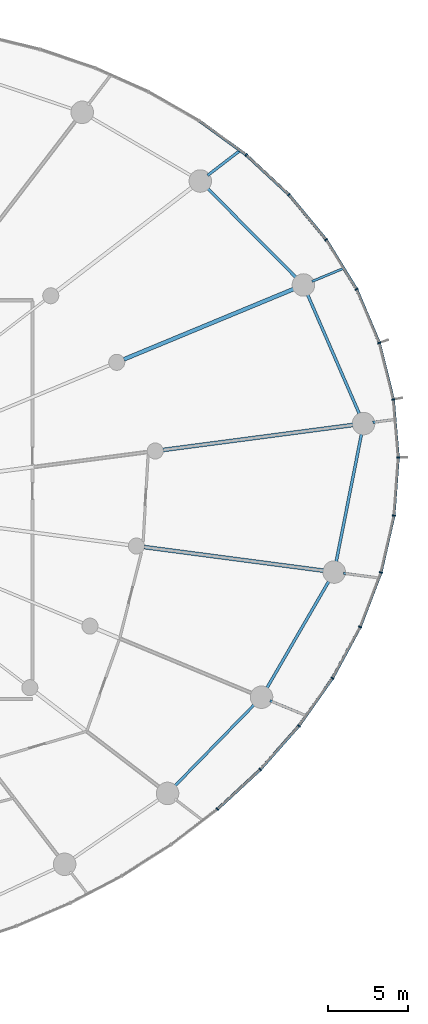
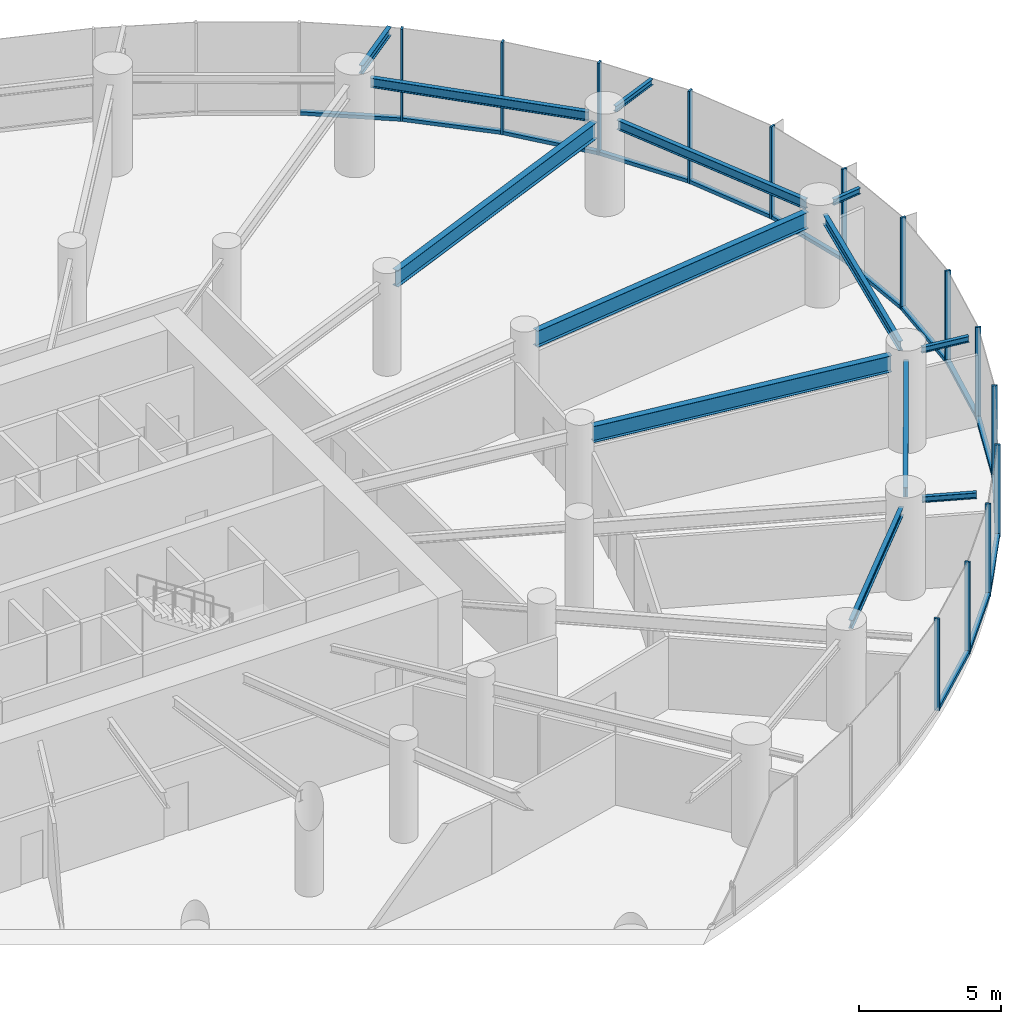
# One storey, part 9 of 19: 28 members, 13 beams, 3 elements without a shape of their own.
"""IFC4 building model written with IfcOpenShell, lengths in metres."""

from ifc_helpers import new_model, si_unit, direction, frame, origin, origin_2d, place, context, subcontext, project, spatial, rectangle, i_section, extrude, source, transform, mapped, material, layer, layer_set, material_profile, profile_set, type_object, element, aggregate, save


model = new_model("IFC4")

# Units and contexts
model_context = context("Model", 3, precision=1e-05, world=origin(), true_north=direction((0.0, 1.0)))
body_context = subcontext(model_context, "Body", "Model", "MODEL_VIEW")
ifc_project = project(units=[si_unit("LENGTHUNIT", "METRE"), si_unit("AREAUNIT", "SQUARE_METRE"), si_unit("VOLUMEUNIT", "CUBIC_METRE"), si_unit("PLANEANGLEUNIT", "RADIAN"), si_unit("MASSUNIT", "GRAM", prefix="KILO")], contexts=[model_context])

# Site, building, storey
site_placement = place(None, origin())
site = spatial("IfcSite", under=ifc_project, at=site_placement, CompositionType="ELEMENT")
building_placement = place(site_placement, origin())
building = spatial("IfcBuilding", under=site, at=building_placement, Name="Spindrift Exchange Tower", CompositionType="ELEMENT")
storey_placement = place(building_placement, frame((0.0, 0.0, 53.39990234375)))
storey = spatial("IfcBuildingStorey", under=building, at=storey_placement, Name="L12", CompositionType="ELEMENT", Elevation=53.39990234375)

# Beams
ifc_material_1 = material(Name="Steel Grade 300", Category="steel")
ifc_material_profile_1 = material_profile(ifc_material_1, i_section(OverallWidth=0.25, OverallDepth=0.699951171875, WebThickness=0.008056640625, FlangeThickness=0.011962890625, at=origin_2d()), Name="700WB115")
ifc_profile_set_1 = profile_set([ifc_material_profile_1], Name="Steel Grade 300")
beam_type_1 = type_object("IfcBeamType", Name="Floor Beam 700WB115 Steel Grade 300", PredefinedType="BEAM", material=ifc_profile_set_1)
shared_shape_1 = source(origin(), body_context, "Body", "SweptSolid", [
    extrude(i_section(OverallWidth=0.25, OverallDepth=0.699951171875, WebThickness=0.008056640625, FlangeThickness=0.011962890625, at=origin_2d()), origin(), (0.0, 0.0, 1.0), 12.00830078125),
])
beam_1_placement = place(storey_placement, frame((75.509765625, 51.09521484375, 3.60009765625), z_axis=(0.991444950947, 0.130525511844, 0.0), x_axis=(-0.130525511844, 0.991444950947, 0.0)))
element("IfcBeam", 1, at=beam_1_placement, inside=storey, type_object=beam_type_1, Name="L12 radial beam R01B", PredefinedType="BEAM", context=body_context, shape_type="MappedRepresentation", body=[
    mapped(shared_shape_1, transform((0.0, 0.0, 0.0), scale=1.0)),
])
shared_shape_2 = source(origin(), body_context, "Body", "SweptSolid", [
    extrude(i_section(OverallWidth=0.25, OverallDepth=0.699951171875, WebThickness=0.008056640625, FlangeThickness=0.011962890625, at=origin_2d()), origin(), (0.0, 0.0, 1.0), 11.505859375),
])
beam_2_placement = place(storey_placement, frame((73.082763671875, 56.73291015625, 3.60009765625), z_axis=(0.923881578419, 0.38267849307, 0.0), x_axis=(-0.38267849307, 0.923881578419, 0.0)))
element("IfcBeam", 2, at=beam_2_placement, inside=storey, type_object=beam_type_1, Name="L12 radial beam R02B", PredefinedType="BEAM", context=body_context, shape_type="MappedRepresentation", body=[
    mapped(shared_shape_2, transform((0.0, 0.0, 0.0), scale=1.0)),
])
shared_shape_3 = source(origin(), body_context, "Body", "SweptSolid", [
    extrude(i_section(OverallWidth=0.25, OverallDepth=0.699951171875, WebThickness=0.008056640625, FlangeThickness=0.011962890625, at=origin_2d()), origin(), (0.0, 0.0, 1.0), 11.34423828125),
])
beam_3_placement = place(storey_placement, frame((74.339111328125, 45.05908203125, 3.60009765625), z_axis=(0.991444770187, -0.130526884848, 0.0), x_axis=(0.130526884848, 0.991444770187, 0.0)))
element("IfcBeam", 3, at=beam_3_placement, inside=storey, type_object=beam_type_1, Name="L12 radial beam R24B", PredefinedType="BEAM", context=body_context, shape_type="MappedRepresentation", body=[
    mapped(shared_shape_3, transform((0.0, 0.0, 0.0), scale=1.0)),
])
ifc_material_profile_2 = material_profile(ifc_material_1, i_section(OverallWidth=0.177978515625, OverallDepth=0.406005859375, WebThickness=0.0078125, FlangeThickness=0.0126953125, FilletRadius=0.013916015625, at=origin_2d()), Name="410UB59.7")
ifc_profile_set_2 = profile_set([ifc_material_profile_2], Name="Steel Grade 300")
beam_type_2 = type_object("IfcBeamType", Name="Edge Beam 410UB59.7 Steel Grade 300", PredefinedType="SPANDREL", material=ifc_profile_set_2)
shared_shape_4 = source(origin(), body_context, "Body", "SweptSolid", [
    extrude(i_section(OverallWidth=0.177978515625, OverallDepth=0.406005859375, WebThickness=0.0078125, FlangeThickness=0.0126953125, FilletRadius=0.013916015625, at=origin_2d()), origin(), (0.0, 0.0, 1.0), 8.23681640625),
])
beam_4_placement = place(storey_placement, frame((87.759521484375, 53.270263671875, 3.7470703125), z_axis=(-0.398186298756, 0.91730456855, 0.0), x_axis=(-0.91730456855, -0.398186298756, 0.0)))
element("IfcBeam", 4, at=beam_4_placement, inside=storey, type_object=beam_type_2, Name="L12 edge beam E01", PredefinedType="SPANDREL", context=body_context, shape_type="MappedRepresentation", body=[
    mapped(shared_shape_4, transform((0.0, 0.0, 0.0), scale=1.0)),
])
shared_shape_5 = source(origin(), body_context, "Body", "SweptSolid", [
    extrude(i_section(OverallWidth=0.177978515625, OverallDepth=0.406005859375, WebThickness=0.0078125, FlangeThickness=0.0126953125, FilletRadius=0.013916015625, at=origin_2d()), origin(), (0.0, 0.0, 1.0), 7.947509765625),
])
beam_5_placement = place(storey_placement, frame((83.840576171875, 61.769775390625, 3.7470703125), z_axis=(-0.704197895271, 0.710003749494, 0.0), x_axis=(-0.710003749494, -0.704197895271, 0.0)))
element("IfcBeam", 5, at=beam_5_placement, inside=storey, type_object=beam_type_2, Name="L12 edge beam E02", PredefinedType="SPANDREL", context=body_context, shape_type="MappedRepresentation", body=[
    mapped(shared_shape_5, transform((0.0, 0.0, 0.0), scale=1.0)),
])
ifc_material_profile_3 = material_profile(ifc_material_1, i_section(OverallWidth=0.172119140625, OverallDepth=0.35888671875, WebThickness=0.008056640625, FlangeThickness=0.012939453125, FilletRadius=0.013916015625, at=origin_2d()), Name="360UB56.7")
ifc_profile_set_3 = profile_set([ifc_material_profile_3], Name="Steel Grade 300")
beam_type_3 = type_object("IfcBeamType", Name="Edge Beam 360UB56.7 Steel Grade 300", PredefinedType="SPANDREL", material=ifc_profile_set_3)
shared_shape_6 = source(origin(), body_context, "Body", "SweptSolid", [
    extrude(i_section(OverallWidth=0.172119140625, OverallDepth=0.35888671875, WebThickness=0.008056640625, FlangeThickness=0.012939453125, FilletRadius=0.013916015625, at=origin_2d()), origin(), (0.0, 0.0, 1.0), 7.2041015625),
])
beam_6_placement = place(storey_placement, frame((76.205810546875, 30.152099609375, 3.7705078125), z_axis=(0.698703626006, 0.715411240481, 0.0), x_axis=(-0.715411240481, 0.698703626006, 0.0)))
element("IfcBeam", 6, at=beam_6_placement, inside=storey, type_object=beam_type_3, Name="L12 edge beam E22", PredefinedType="SPANDREL", context=body_context, shape_type="MappedRepresentation", body=[
    mapped(shared_shape_6, transform((0.0, 0.0, 0.0), scale=1.0)),
])
shared_shape_7 = source(origin(), body_context, "Body", "SweptSolid", [
    extrude(i_section(OverallWidth=0.177978515625, OverallDepth=0.406005859375, WebThickness=0.0078125, FlangeThickness=0.0126953125, FilletRadius=0.013916015625, at=origin_2d()), origin(), (0.0, 0.0, 1.0), 7.837646484375),
])
beam_7_placement = place(storey_placement, frame((81.935791015625, 36.222412109375, 3.7470703125), z_axis=(0.50198145655, 0.864878382942, 0.0), x_axis=(-0.864878382942, 0.50198145655, 0.0)))
element("IfcBeam", 7, at=beam_7_placement, inside=storey, type_object=beam_type_2, Name="L12 edge beam E23", PredefinedType="SPANDREL", context=body_context, shape_type="MappedRepresentation", body=[
    mapped(shared_shape_7, transform((0.0, 0.0, 0.0), scale=1.0)),
])
shared_shape_8 = source(origin(), body_context, "Body", "SweptSolid", [
    extrude(i_section(OverallWidth=0.177978515625, OverallDepth=0.406005859375, WebThickness=0.0078125, FlangeThickness=0.0126953125, FilletRadius=0.013916015625, at=origin_2d()), origin(), (0.0, 0.0, 1.0), 8.2548828125),
])
beam_8_placement = place(storey_placement, frame((86.27392578125, 44.071533203125, 3.7470703125), z_axis=(0.194278723288, 0.9809463684, 0.0), x_axis=(-0.9809463684, 0.194278723288, 0.0)))
element("IfcBeam", 8, at=beam_8_placement, inside=storey, type_object=beam_type_2, Name="L12 edge beam E24", PredefinedType="SPANDREL", context=body_context, shape_type="MappedRepresentation", body=[
    mapped(shared_shape_8, transform((0.0, 0.0, 0.0), scale=1.0)),
])
ifc_material_profile_4 = material_profile(ifc_material_1, i_section(OverallWidth=0.14599609375, OverallDepth=0.251953125, WebThickness=0.006103515625, FlangeThickness=0.008544921875, FilletRadius=0.011962890625, at=origin_2d()), Name="250UB31.4")
ifc_profile_set_4 = profile_set([ifc_material_profile_4], Name="Steel Grade 300")
beam_type_4 = type_object("IfcBeamType", Name="Cantilever Beam 250UB31.4 Steel Grade 300", PredefinedType="BEAM", material=ifc_profile_set_4)
shared_shape_9 = source(origin(), body_context, "Body", "SweptSolid", [
    extrude(i_section(OverallWidth=0.14599609375, OverallDepth=0.251953125, WebThickness=0.006103515625, FlangeThickness=0.008544921875, FilletRadius=0.011962890625, at=origin_2d()), origin(), (0.0, 0.0, 1.0), 1.183837890625),
])
beam_9_placement = place(storey_placement, frame((88.5654296875, 52.81396484375, 3.82421875), z_axis=(0.991444466653, 0.130529190389, 0.0), x_axis=(-0.130529190389, 0.991444466653, 0.0)))
element("IfcBeam", 9, at=beam_9_placement, inside=storey, type_object=beam_type_4, Name="L12 cantilever beam R01T", PredefinedType="BEAM", context=body_context, shape_type="MappedRepresentation", body=[
    mapped(shared_shape_9, transform((0.0, 0.0, 0.0), scale=1.0)),
])
shared_shape_10 = source(origin(), body_context, "Body", "SweptSolid", [
    extrude(i_section(OverallWidth=0.14599609375, OverallDepth=0.251953125, WebThickness=0.006103515625, FlangeThickness=0.008544921875, FilletRadius=0.011962890625, at=origin_2d()), origin(), (0.0, 0.0, 1.0), 2.132568359375),
])
beam_10_placement = place(storey_placement, frame((84.78466796875, 61.579833984375, 3.82421875), z_axis=(0.92386752901, 0.382712410097, 0.0), x_axis=(-0.382712410097, 0.92386752901, 0.0)))
element("IfcBeam", 10, at=beam_10_placement, inside=storey, type_object=beam_type_4, Name="L12 cantilever beam R02T", PredefinedType="BEAM", context=body_context, shape_type="MappedRepresentation", body=[
    mapped(shared_shape_10, transform((0.0, 0.0, 0.0), scale=1.0)),
])
ifc_material_profile_5 = material_profile(ifc_material_1, i_section(OverallWidth=0.172119140625, OverallDepth=0.35888671875, WebThickness=0.008056640625, FlangeThickness=0.012939453125, FilletRadius=0.013916015625, at=origin_2d()), Name="360UB56.7")
ifc_profile_set_5 = profile_set([ifc_material_profile_5], Name="Steel Grade 300")
beam_type_5 = type_object("IfcBeamType", Name="Cantilever Beam 360UB56.7 Steel Grade 300", PredefinedType="BEAM", material=ifc_profile_set_5)
shared_shape_11 = source(origin(), body_context, "Body", "SweptSolid", [
    extrude(i_section(OverallWidth=0.172119140625, OverallDepth=0.35888671875, WebThickness=0.008056640625, FlangeThickness=0.012939453125, FilletRadius=0.013916015625, at=origin_2d()), origin(), (0.0, 0.0, 1.0), 2.6103515625),
])
beam_11_placement = place(storey_placement, frame((78.295654296875, 68.177490234375, 3.7705078125), z_axis=(0.793363947524, 0.608747605144, 0.0), x_axis=(-0.608747605144, 0.793363947524, 0.0)))
element("IfcBeam", 11, at=beam_11_placement, inside=storey, type_object=beam_type_5, Name="L12 cantilever beam R03T", PredefinedType="BEAM", context=body_context, shape_type="MappedRepresentation", body=[
    mapped(shared_shape_11, transform((0.0, 0.0, 0.0), scale=1.0)),
])
shared_shape_12 = source(origin(), body_context, "Body", "SweptSolid", [
    extrude(i_section(OverallWidth=0.14599609375, OverallDepth=0.251953125, WebThickness=0.006103515625, FlangeThickness=0.008544921875, FilletRadius=0.011962890625, at=origin_2d()), origin(), (0.0, 0.0, 1.0), 1.935302734375),
])
beam_12_placement = place(storey_placement, frame((82.180419921875, 35.498779296875, 3.82421875), z_axis=(0.923910755402, -0.382608044939, 0.0), x_axis=(0.382608044939, 0.923910755402, 0.0)))
element("IfcBeam", 12, at=beam_12_placement, inside=storey, type_object=beam_type_4, Name="L12 cantilever beam R23T", PredefinedType="BEAM", context=body_context, shape_type="MappedRepresentation", body=[
    mapped(shared_shape_12, transform((0.0, 0.0, 0.0), scale=1.0)),
])
shared_shape_13 = source(origin(), body_context, "Body", "SweptSolid", [
    extrude(i_section(OverallWidth=0.14599609375, OverallDepth=0.251953125, WebThickness=0.006103515625, FlangeThickness=0.008544921875, FilletRadius=0.011962890625, at=origin_2d()), origin(), (0.0, 0.0, 1.0), 1.79541015625),
])
beam_13_placement = place(storey_placement, frame((86.736083984375, 43.427001953125, 3.82421875), z_axis=(0.9914427207, -0.130542451224, 0.0), x_axis=(0.130542451224, 0.9914427207, 0.0)))
element("IfcBeam", 13, at=beam_13_placement, inside=storey, type_object=beam_type_4, Name="L12 cantilever beam R24T", PredefinedType="BEAM", context=body_context, shape_type="MappedRepresentation", body=[
    mapped(shared_shape_13, transform((0.0, 0.0, 0.0), scale=1.0)),
])

# Curtain wall, member
ifc_material_2 = material(Name="Fritted laminated glass with bronze frame", Category="glass")
ifc_layer = layer(ifc_material_2, 0.199951171875)
ifc_layer_set = layer_set([ifc_layer], Name="ZONE 1 BRONZE FRITTED WALL")
curtain_wall_type = type_object("IfcCurtainWallType", Name="ZONE 1 BRONZE FRITTED WALL", PredefinedType="NOTDEFINED", material=ifc_layer_set)
curtain_wall_1_placement = place(storey_placement, origin())
curtain_wall_1 = element("IfcCurtainWall", 14, at=curtain_wall_1_placement, inside=storey, type_object=curtain_wall_type, Name="L12 Zone 1 Bronze Fritted Wall run 10", PredefinedType="NOTDEFINED")
ifc_material_3 = material(Name="Bronze anodised aluminium", Category="aluminium")
ifc_material_profile_6 = material_profile(ifc_material_3, rectangle(XDim=0.179931640625, YDim=0.14990234375, at=origin_2d()), Name="ZONE 1 BRONZE FRITTED WALL TRANSOM 180X150")
ifc_profile_set_6 = profile_set([ifc_material_profile_6], Name="Bronze anodised aluminium")
member_type_1 = type_object("IfcMemberType", Name="ZONE 1 BRONZE FRITTED WALL TRANSOM 180X150", PredefinedType="USERDEFINED", material=ifc_profile_set_6)
shared_shape_14 = source(origin(), body_context, "Body", "SweptSolid", [
    extrude(rectangle(XDim=0.179931640625, YDim=0.14990234375, at=origin_2d()), origin(), (0.0, 0.0, 1.0), 3.54443359375),
])
member_1_placement = place(storey_placement, frame((90.138671875, 50.66748046875, 0.0751953125), z_axis=(-0.083621213942, 0.996497612932, 0.0), x_axis=(-0.996497612932, -0.083621213942, 0.0)))
member_1 = element("IfcMember", 15, at=member_1_placement, type_object=member_type_1, Name="L12 transom CW-1.59", ObjectType="TRANSOM", PredefinedType="USERDEFINED", context=body_context, shape_type="MappedRepresentation", body=[
    mapped(shared_shape_14, transform((0.0, 0.0, 0.0), scale=1.0)),
])

curtain_wall_2_placement = place(storey_placement, origin())
curtain_wall_2 = element("IfcCurtainWall", 16, at=curtain_wall_2_placement, inside=storey, type_object=curtain_wall_type, Name="L12 Zone 1 Bronze Fritted Wall run 1", PredefinedType="NOTDEFINED")
shared_shape_15 = source(origin(), body_context, "Body", "SweptSolid", [
    extrude(rectangle(XDim=0.179931640625, YDim=0.14990234375, at=origin_2d()), origin(), (0.0, 0.0, 1.0), 3.544921875),
])
member_2_placement = place(storey_placement, frame((88.950927734375, 57.7939453125, 0.0751953125), z_axis=(-0.389675938616, 0.920952041565, 0.0), x_axis=(-0.920952041565, -0.389675938616, 0.0)))
member_2 = element("IfcMember", 17, at=member_2_placement, type_object=member_type_1, Name="L12 transom CW-1.2", ObjectType="TRANSOM", PredefinedType="USERDEFINED", context=body_context, shape_type="MappedRepresentation", body=[
    mapped(shared_shape_15, transform((0.0, 0.0, 0.0), scale=1.0)),
])

# Member
member_3_placement = place(storey_placement, frame((89.08056640625, 43.517333984375, 0.0751953125), z_axis=(0.221966384297, 0.975054318611, 0.0), x_axis=(-0.975054318611, 0.221966384297, 0.0)))
member_3 = element("IfcMember", 18, at=member_3_placement, type_object=member_type_1, Name="L12 transom CW-1.57", ObjectType="TRANSOM", PredefinedType="USERDEFINED", context=body_context, shape_type="MappedRepresentation", body=[
    mapped(shared_shape_15, transform((0.0, 0.0, 0.0), scale=1.0)),
])

shared_shape_16 = source(origin(), body_context, "Body", "SweptSolid", [
    extrude(rectangle(XDim=0.179931640625, YDim=0.14990234375, at=origin_2d()), origin(), (0.0, 0.0, 1.0), 3.54638671875),
])
member_4_placement = place(storey_placement, frame((80.657470703125, 69.469482421875, 0.0751953125), z_axis=(-0.808161129115, 0.588961449832, 0.0), x_axis=(-0.588961449832, -0.808161129115, 0.0)))
member_4 = element("IfcMember", 19, at=member_4_placement, type_object=member_type_1, Name="L12 transom CW-1.6", ObjectType="TRANSOM", PredefinedType="USERDEFINED", context=body_context, shape_type="MappedRepresentation", body=[
    mapped(shared_shape_16, transform((0.0, 0.0, 0.0), scale=1.0)),
])

# Curtain wall, member
curtain_wall_3_placement = place(storey_placement, origin())
curtain_wall_3 = element("IfcCurtainWall", 20, at=curtain_wall_3_placement, inside=storey, type_object=curtain_wall_type, Name="L12 Zone 1 Bronze Fritted Wall run 9", PredefinedType="NOTDEFINED")
member_5_placement = place(storey_placement, frame((83.989501953125, 33.9697265625, 0.0751953125), z_axis=(0.576337191842, 0.817211992876, 0.0), x_axis=(-0.817211992876, 0.576337191842, 0.0)))
member_5 = element("IfcMember", 21, at=member_5_placement, type_object=member_type_1, Name="L12 transom CW-1.54", ObjectType="TRANSOM", PredefinedType="USERDEFINED", context=body_context, shape_type="MappedRepresentation", body=[
    mapped(shared_shape_16, transform((0.0, 0.0, 0.0), scale=1.0)),
])

# Member
shared_shape_17 = source(origin(), body_context, "Body", "SweptSolid", [
    extrude(rectangle(XDim=0.179931640625, YDim=0.14990234375, at=origin_2d()), origin(), (0.0, 0.0, 1.0), 3.545166015625),
])
member_6_placement = place(storey_placement, frame((87.533203125, 61.12939453125, 0.0751953125), z_axis=(-0.523259523739, 0.852173380725, 0.0), x_axis=(-0.852173380725, -0.523259523739, 0.0)))
member_6 = element("IfcMember", 22, at=member_6_placement, type_object=member_type_1, Name="L12 transom CW-1.3", ObjectType="TRANSOM", PredefinedType="USERDEFINED", context=body_context, shape_type="MappedRepresentation", body=[
    mapped(shared_shape_17, transform((0.0, 0.0, 0.0), scale=1.0)),
])

shared_shape_18 = source(origin(), body_context, "Body", "SweptSolid", [
    extrude(rectangle(XDim=0.179931640625, YDim=0.14990234375, at=origin_2d()), origin(), (0.0, 0.0, 1.0), 3.546630859375),
])
member_7_placement = place(storey_placement, frame((78.93212890625, 28.783935546875, 0.0751953125), z_axis=(0.734138041387, 0.679000247561, 0.0), x_axis=(-0.679000247561, 0.734138041387, 0.0)))
member_7 = element("IfcMember", 23, at=member_7_placement, type_object=member_type_1, Name="L12 transom CW-1.52", ObjectType="TRANSOM", PredefinedType="USERDEFINED", context=body_context, shape_type="MappedRepresentation", body=[
    mapped(shared_shape_18, transform((0.0, 0.0, 0.0), scale=1.0)),
])

member_8_placement = place(storey_placement, frame((81.591796875, 31.249267578125, 0.0751953125), z_axis=(0.662079135973, 0.749433931517, 0.0), x_axis=(-0.749433931517, 0.662079135973, 0.0)))
member_8 = element("IfcMember", 24, at=member_8_placement, type_object=member_type_1, Name="L12 transom CW-1.53", ObjectType="TRANSOM", PredefinedType="USERDEFINED", context=body_context, shape_type="MappedRepresentation", body=[
    mapped(shared_shape_18, transform((0.0, 0.0, 0.0), scale=1.0)),
])

shared_shape_19 = source(origin(), body_context, "Body", "SweptSolid", [
    extrude(rectangle(XDim=0.179931640625, YDim=0.14990234375, at=origin_2d()), origin(), (0.0, 0.0, 1.0), 3.5458984375),
])
member_9_placement = place(storey_placement, frame((83.31591796875, 67.004150390625, 0.0751953125), z_axis=(-0.732322473593, 0.680957997728, 0.0), x_axis=(-0.680957997728, -0.732322473593, 0.0)))
member_9 = element("IfcMember", 25, at=member_9_placement, type_object=member_type_1, Name="L12 transom CW-1.5", ObjectType="TRANSOM", PredefinedType="USERDEFINED", context=body_context, shape_type="MappedRepresentation", body=[
    mapped(shared_shape_19, transform((0.0, 0.0, 0.0), scale=1.0)),
])

member_10_placement = place(storey_placement, frame((86.075439453125, 36.935791015625, 0.0751953125), z_axis=(0.474949528852, 0.88001303686, 0.0), x_axis=(-0.88001303686, 0.474949528852, 0.0)))
member_10 = element("IfcMember", 26, at=member_10_placement, type_object=member_type_1, Name="L12 transom CW-1.55", ObjectType="TRANSOM", PredefinedType="USERDEFINED", context=body_context, shape_type="MappedRepresentation", body=[
    mapped(shared_shape_19, transform((0.0, 0.0, 0.0), scale=1.0)),
])

shared_shape_20 = source(origin(), body_context, "Body", "SweptSolid", [
    extrude(rectangle(XDim=0.179931640625, YDim=0.14990234375, at=origin_2d()), origin(), (0.0, 0.0, 1.0), 3.544189453125),
])
member_11_placement = place(storey_placement, frame((89.829345703125, 54.2783203125, 0.0751953125), z_axis=(-0.24075231521, 0.970586586926, 0.0), x_axis=(-0.970586586926, -0.24075231521, 0.0)))
member_11 = element("IfcMember", 27, at=member_11_placement, type_object=member_type_1, Name="L12 transom CW-1.1", ObjectType="TRANSOM", PredefinedType="USERDEFINED", context=body_context, shape_type="MappedRepresentation", body=[
    mapped(shared_shape_20, transform((0.0, 0.0, 0.0), scale=1.0)),
])

shared_shape_21 = source(origin(), body_context, "Body", "SweptSolid", [
    extrude(rectangle(XDim=0.179931640625, YDim=0.14990234375, at=origin_2d()), origin(), (0.0, 0.0, 1.0), 3.544677734375),
])
member_12_placement = place(storey_placement, frame((89.879150390625, 47.052734375, 0.0751953125), z_axis=(0.073351591362, 0.997306143591, 0.0), x_axis=(-0.997306143591, 0.073351591362, 0.0)))
member_12 = element("IfcMember", 28, at=member_12_placement, type_object=member_type_1, Name="L12 transom CW-1.58", ObjectType="TRANSOM", PredefinedType="USERDEFINED", context=body_context, shape_type="MappedRepresentation", body=[
    mapped(shared_shape_21, transform((0.0, 0.0, 0.0), scale=1.0)),
])

shared_shape_22 = source(origin(), body_context, "Body", "SweptSolid", [
    extrude(rectangle(XDim=0.179931640625, YDim=0.14990234375, at=origin_2d()), origin(), (0.0, 0.0, 1.0), 3.54541015625),
])
member_13_placement = place(storey_placement, frame((85.6318359375, 64.21533203125, 0.0751953125), z_axis=(-0.63779035571, 0.770210011727, 0.0), x_axis=(-0.770210011727, -0.63779035571, 0.0)))
member_13 = element("IfcMember", 29, at=member_13_placement, type_object=member_type_1, Name="L12 transom CW-1.4", ObjectType="TRANSOM", PredefinedType="USERDEFINED", context=body_context, shape_type="MappedRepresentation", body=[
    mapped(shared_shape_22, transform((0.0, 0.0, 0.0), scale=1.0)),
])

member_14_placement = place(storey_placement, frame((87.792724609375, 40.128662109375, 0.0751953125), z_axis=(0.356693916735, 0.934221306631, 0.0), x_axis=(-0.934221306631, 0.356693916735, 0.0)))
member_14 = element("IfcMember", 30, at=member_14_placement, type_object=member_type_1, Name="L12 transom CW-1.56", ObjectType="TRANSOM", PredefinedType="USERDEFINED", context=body_context, shape_type="MappedRepresentation", body=[
    mapped(shared_shape_22, transform((0.0, 0.0, 0.0), scale=1.0)),
])

ifc_material_profile_7 = material_profile(ifc_material_3, rectangle(XDim=0.080078125, YDim=0.199951171875, at=origin_2d()), Name="ZONE 1 BRONZE FRITTED WALL MULLION 80X200")
ifc_profile_set_7 = profile_set([ifc_material_profile_7], Name="Bronze anodised aluminium")
member_type_2 = type_object("IfcMemberType", Name="ZONE 1 BRONZE FRITTED WALL MULLION 80X200", PredefinedType="MULLION", material=ifc_profile_set_7)
shared_shape_23 = source(origin(), body_context, "Body", "SweptSolid", [
    extrude(rectangle(XDim=0.080078125, YDim=0.199951171875, at=origin_2d()), origin(), (0.0, 0.0, 1.0), 3.9501953125),
])
member_15_placement = place(storey_placement, frame((89.839111328125, 54.239501953125, 0.0), z_axis=(0.0, 0.0, 1.0), x_axis=(-0.162695137621, 0.986676386762, 0.0)))
member_15 = element("IfcMember", 31, at=member_15_placement, type_object=member_type_2, Name="L12 mullion CW-1.1", PredefinedType="MULLION", context=body_context, shape_type="MappedRepresentation", body=[
    mapped(shared_shape_23, transform((0.0, 0.0, 0.0), scale=1.0)),
])

member_16_placement = place(storey_placement, frame((88.96630859375, 57.757080078125, 0.0), z_axis=(0.0, 0.0, 1.0), x_axis=(-0.316171208806, 0.948702148581, 0.0)))
member_16 = element("IfcMember", 32, at=member_16_placement, type_object=member_type_2, Name="L12 mullion CW-1.2", PredefinedType="MULLION", context=body_context, shape_type="MappedRepresentation", body=[
    mapped(shared_shape_23, transform((0.0, 0.0, 0.0), scale=1.0)),
])

member_17_placement = place(storey_placement, frame((87.55419921875, 61.095458984375, 0.0), z_axis=(0.0, 0.0, 1.0), x_axis=(-0.457742399922, 0.889084863955, 0.0)))
member_17 = element("IfcMember", 33, at=member_17_placement, type_object=member_type_2, Name="L12 mullion CW-1.3", PredefinedType="MULLION", context=body_context, shape_type="MappedRepresentation", body=[
    mapped(shared_shape_23, transform((0.0, 0.0, 0.0), scale=1.0)),
])

member_18_placement = place(storey_placement, frame((85.6572265625, 64.1845703125, 0.0), z_axis=(0.0, 0.0, 1.0), x_axis=(-0.581951535292, 0.813223469024, 0.0)))
member_18 = element("IfcMember", 34, at=member_18_placement, type_object=member_type_2, Name="L12 mullion CW-1.4", PredefinedType="MULLION", context=body_context, shape_type="MappedRepresentation", body=[
    mapped(shared_shape_23, transform((0.0, 0.0, 0.0), scale=1.0)),
])

member_19_placement = place(storey_placement, frame((83.34521484375, 66.976806640625, 0.0), z_axis=(0.0, 0.0, 1.0), x_axis=(-0.68648905038, 0.727140140351, 0.0)))
member_19 = element("IfcMember", 35, at=member_19_placement, type_object=member_type_2, Name="L12 mullion CW-1.5", PredefinedType="MULLION", context=body_context, shape_type="MappedRepresentation", body=[
    mapped(shared_shape_23, transform((0.0, 0.0, 0.0), scale=1.0)),
])

member_20_placement = place(storey_placement, frame((80.68994140625, 69.446044921875, 0.0), z_axis=(0.0, 0.0, 1.0), x_axis=(-0.771625539018, 0.636077061004, 0.0)))
member_20 = element("IfcMember", 36, at=member_20_placement, type_object=member_type_2, Name="L12 mullion CW-1.6", PredefinedType="MULLION", context=body_context, shape_type="MappedRepresentation", body=[
    mapped(shared_shape_23, transform((0.0, 0.0, 0.0), scale=1.0)),
])

aggregate(curtain_wall_2, [member_15, member_11, member_16, member_2, member_17, member_6, member_18, member_13, member_19, member_9, member_20, member_4])

member_21_placement = place(storey_placement, frame((78.90283203125, 28.756591796875, 0.0), z_axis=(0.0, 0.0, 1.0), x_axis=(0.764984647276, 0.644048514813, 0.0)))
member_21 = element("IfcMember", 37, at=member_21_placement, type_object=member_type_2, Name="L12 mullion CW-1.52", PredefinedType="MULLION", context=body_context, shape_type="MappedRepresentation", body=[
    mapped(shared_shape_23, transform((0.0, 0.0, 0.0), scale=1.0)),
])

member_22_placement = place(storey_placement, frame((81.565185546875, 31.219482421875, 0.0), z_axis=(0.0, 0.0, 1.0), x_axis=(0.699004651499, 0.715117121304, 0.0)))
member_22 = element("IfcMember", 38, at=member_22_placement, type_object=member_type_2, Name="L12 mullion CW-1.53", PredefinedType="MULLION", context=body_context, shape_type="MappedRepresentation", body=[
    mapped(shared_shape_23, transform((0.0, 0.0, 0.0), scale=1.0)),
])

member_23_placement = place(storey_placement, frame((83.966552734375, 33.93701171875, 0.0), z_axis=(0.0, 0.0, 1.0), x_axis=(0.620163361593, 0.784472692283, 0.0)))
member_23 = element("IfcMember", 39, at=member_23_placement, type_object=member_type_2, Name="L12 mullion CW-1.54", PredefinedType="MULLION", context=body_context, shape_type="MappedRepresentation", body=[
    mapped(shared_shape_23, transform((0.0, 0.0, 0.0), scale=1.0)),
])

aggregate(curtain_wall_3, [member_21, member_7, member_22, member_8, member_23, member_5])

member_24_placement = place(storey_placement, frame((86.056396484375, 36.900390625, 0.0), z_axis=(0.0, 0.0, 1.0), x_axis=(0.52656088811, 0.850137418958, 0.0)))
member_24 = element("IfcMember", 40, at=member_24_placement, type_object=member_type_2, Name="L12 mullion CW-1.55", PredefinedType="MULLION", context=body_context, shape_type="MappedRepresentation", body=[
    mapped(shared_shape_23, transform((0.0, 0.0, 0.0), scale=1.0)),
])

member_25_placement = place(storey_placement, frame((87.7783203125, 40.09130859375, 0.0), z_axis=(0.0, 0.0, 1.0), x_axis=(0.416682373115, 0.909052143683, 0.0)))
member_25 = element("IfcMember", 41, at=member_25_placement, type_object=member_type_2, Name="L12 mullion CW-1.56", PredefinedType="MULLION", context=body_context, shape_type="MappedRepresentation", body=[
    mapped(shared_shape_23, transform((0.0, 0.0, 0.0), scale=1.0)),
])

member_26_placement = place(storey_placement, frame((89.071533203125, 43.478271484375, 0.0), z_axis=(0.0, 0.0, 1.0), x_axis=(0.290051537148, 0.957011026999, 0.0)))
member_26 = element("IfcMember", 42, at=member_26_placement, type_object=member_type_2, Name="L12 mullion CW-1.57", PredefinedType="MULLION", context=body_context, shape_type="MappedRepresentation", body=[
    mapped(shared_shape_23, transform((0.0, 0.0, 0.0), scale=1.0)),
])

member_27_placement = place(storey_placement, frame((89.876220703125, 47.012939453125, 0.0), z_axis=(0.0, 0.0, 1.0), x_axis=(0.148063772514, 0.988977815357, 0.0)))
member_27 = element("IfcMember", 43, at=member_27_placement, type_object=member_type_2, Name="L12 mullion CW-1.58", PredefinedType="MULLION", context=body_context, shape_type="MappedRepresentation", body=[
    mapped(shared_shape_23, transform((0.0, 0.0, 0.0), scale=1.0)),
])

member_28_placement = place(storey_placement, frame((90.14208984375, 50.627685546875, 0.0), z_axis=(0.0, 0.0, 1.0), x_axis=(-0.005149513533, 0.999986741167, 0.0)))
member_28 = element("IfcMember", 44, at=member_28_placement, type_object=member_type_2, Name="L12 mullion CW-1.59", PredefinedType="MULLION", context=body_context, shape_type="MappedRepresentation", body=[
    mapped(shared_shape_23, transform((0.0, 0.0, 0.0), scale=1.0)),
])

aggregate(curtain_wall_1, [member_24, member_10, member_25, member_14, member_26, member_3, member_27, member_12, member_28, member_1])

save(model, "model.ifc")
